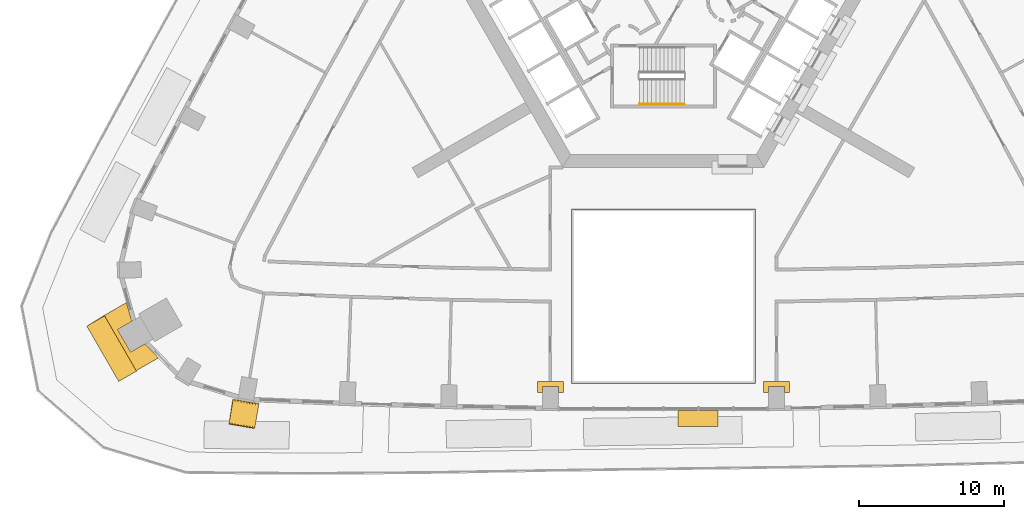
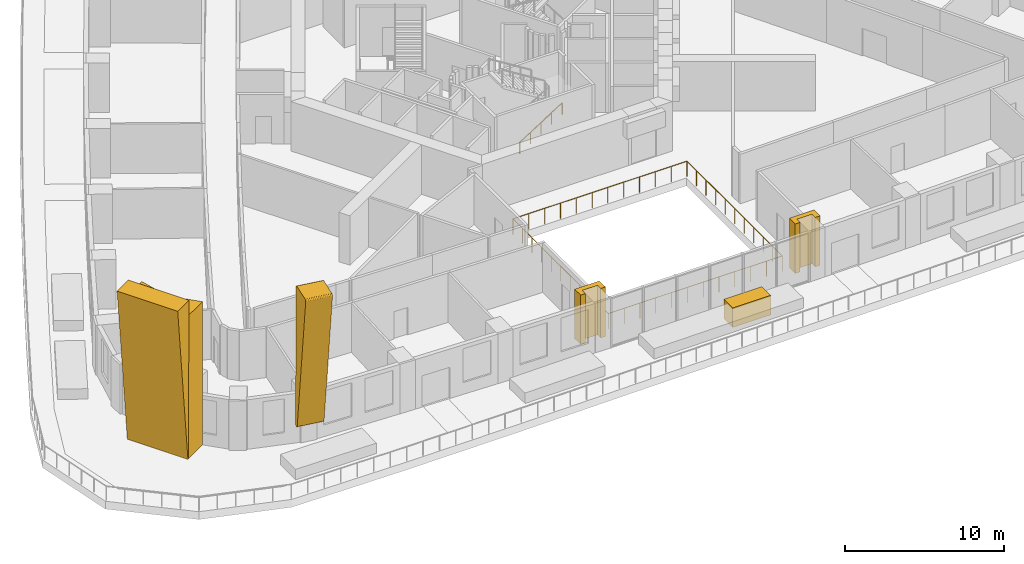
# One storey, part 13 of 16: 6 coverings, 2 railings.
"""IFC4 building model written with IfcOpenShell, lengths in metres."""

from ifc_helpers import new_model, si_unit, direction, frame, origin, origin_2d, place, context, subcontext, project, spatial, polyline, circle, outline, extrude, material, type_object, element, save


model = new_model("IFC4")

# Units and contexts
model_context = context("Model", 3, precision=1e-05, world=origin(), true_north=direction((0.0, 1.0)))
body_context = subcontext(model_context, "Body", "Model", "MODEL_VIEW")
ifc_project = project(units=[si_unit("LENGTHUNIT", "METRE"), si_unit("AREAUNIT", "SQUARE_METRE"), si_unit("VOLUMEUNIT", "CUBIC_METRE"), si_unit("PLANEANGLEUNIT", "RADIAN"), si_unit("MASSUNIT", "GRAM", prefix="KILO")], contexts=[model_context])

# Site, building, storey
site_placement = place(None, origin())
site = spatial("IfcSite", under=ifc_project, at=site_placement, CompositionType="ELEMENT")
building_placement = place(site_placement, origin())
building = spatial("IfcBuilding", under=site, at=building_placement, Name="Entoto Arch Interchange Tower", CompositionType="ELEMENT")
storey_placement = place(building_placement, frame((0.0, 0.0, 86.60009765625)))
storey = spatial("IfcBuildingStorey", under=building, at=storey_placement, Name="L18", CompositionType="ELEMENT", Elevation=86.60009765625)

# Railing
ifc_material_1 = material(Name="Stainless steel 1.4301", Category="steel")
railing_type_1 = type_object("IfcRailingType", Name="ATRIUM GUARD 1200 STEEL AND GLASS", PredefinedType="GUARDRAIL", material=ifc_material_1)
railing_1_placement = place(storey_placement, frame((6.320068359375, -24.37109375, 0.0)))
element("IfcRailing", 1, at=railing_1_placement, inside=storey, type_object=railing_type_1, Name="Atrium guard L18", PredefinedType="GUARDRAIL", context=body_context, shape_type="SweptSolid", body=[
    extrude(circle(Radius=0.02392578125, at=origin_2d()), frame((0.0, 0.0, 1.17578125), z_axis=(-1.0, 0.0, 0.0), x_axis=(0.0, -1.0, 0.0)), (0.0, 0.0, 1.0), 12.64013671875),
    extrude(circle(Radius=0.02392578125, at=origin_2d()), frame((-12.64013671875, 0.0, 1.17578125), z_axis=(0.0, 1.0, 0.0), x_axis=(-1.0, 0.0, 0.0)), (0.0, 0.0, 1.0), 11.9912109375),
    extrude(circle(Radius=0.02392578125, at=origin_2d()), frame((-12.64013671875, 11.9912109375, 1.17578125), z_axis=(1.0, 0.0, 0.0), x_axis=(0.0, 1.0, 0.0)), (0.0, 0.0, 1.0), 12.64013671875),
    extrude(circle(Radius=0.02392578125, at=origin_2d()), frame((0.0, 11.9912109375, 1.17578125), z_axis=(0.0, -1.0, 0.0), x_axis=(1.0, 0.0, 0.0)), (0.0, 0.0, 1.0), 11.9912109375),
    extrude(circle(Radius=0.02099609375, at=origin_2d()), origin(), (0.0, 0.0, 1.0), 1.15185546875),
    extrude(circle(Radius=0.02099609375, at=origin_2d()), frame((-1.149169921875, 0.0, 0.0)), (0.0, 0.0, 1.0), 1.15185546875),
    extrude(circle(Radius=0.02099609375, at=origin_2d()), frame((-2.298095703125, 0.0, 0.0)), (0.0, 0.0, 1.0), 1.15185546875),
    extrude(circle(Radius=0.02099609375, at=origin_2d()), frame((-3.447265625, 0.0, 0.0)), (0.0, 0.0, 1.0), 1.15185546875),
    extrude(circle(Radius=0.02099609375, at=origin_2d()), frame((-4.596435546875, 0.0, 0.0)), (0.0, 0.0, 1.0), 1.15185546875),
    extrude(circle(Radius=0.02099609375, at=origin_2d()), frame((-5.74560546875, 0.0, 0.0)), (0.0, 0.0, 1.0), 1.15185546875),
    extrude(circle(Radius=0.02099609375, at=origin_2d()), frame((-6.89453125, 0.0, 0.0)), (0.0, 0.0, 1.0), 1.15185546875),
    extrude(circle(Radius=0.02099609375, at=origin_2d()), frame((-8.043701171875, 0.0, 0.0)), (0.0, 0.0, 1.0), 1.15185546875),
    extrude(circle(Radius=0.02099609375, at=origin_2d()), frame((-9.19287109375, 0.0, 0.0)), (0.0, 0.0, 1.0), 1.15185546875),
    extrude(circle(Radius=0.02099609375, at=origin_2d()), frame((-10.342041015625, 0.0, 0.0)), (0.0, 0.0, 1.0), 1.15185546875),
    extrude(circle(Radius=0.02099609375, at=origin_2d()), frame((-11.490966796875, 0.0, 0.0)), (0.0, 0.0, 1.0), 1.15185546875),
    extrude(circle(Radius=0.02099609375, at=origin_2d()), frame((-12.64013671875, 0.0, 0.0)), (0.0, 0.0, 1.0), 1.15185546875),
    extrude(circle(Radius=0.02099609375, at=origin_2d()), frame((-12.64013671875, 1.19921875, 0.0)), (0.0, 0.0, 1.0), 1.15185546875),
    extrude(circle(Radius=0.02099609375, at=origin_2d()), frame((-12.64013671875, 2.398193359375, 0.0)), (0.0, 0.0, 1.0), 1.15185546875),
    extrude(circle(Radius=0.02099609375, at=origin_2d()), frame((-12.64013671875, 3.597412109375, 0.0)), (0.0, 0.0, 1.0), 1.15185546875),
    extrude(circle(Radius=0.02099609375, at=origin_2d()), frame((-12.64013671875, 4.79638671875, 0.0)), (0.0, 0.0, 1.0), 1.15185546875),
    extrude(circle(Radius=0.02099609375, at=origin_2d()), frame((-12.64013671875, 5.99560546875, 0.0)), (0.0, 0.0, 1.0), 1.15185546875),
    extrude(circle(Radius=0.02099609375, at=origin_2d()), frame((-12.64013671875, 7.19482421875, 0.0)), (0.0, 0.0, 1.0), 1.15185546875),
    extrude(circle(Radius=0.02099609375, at=origin_2d()), frame((-12.64013671875, 8.393798828125, 0.0)), (0.0, 0.0, 1.0), 1.15185546875),
    extrude(circle(Radius=0.02099609375, at=origin_2d()), frame((-12.64013671875, 9.593017578125, 0.0)), (0.0, 0.0, 1.0), 1.15185546875),
    extrude(circle(Radius=0.02099609375, at=origin_2d()), frame((-12.64013671875, 10.7919921875, 0.0)), (0.0, 0.0, 1.0), 1.15185546875),
    extrude(circle(Radius=0.02099609375, at=origin_2d()), frame((-12.64013671875, 11.9912109375, 0.0)), (0.0, 0.0, 1.0), 1.15185546875),
    extrude(circle(Radius=0.02099609375, at=origin_2d()), frame((-11.490966796875, 11.9912109375, 0.0)), (0.0, 0.0, 1.0), 1.15185546875),
    extrude(circle(Radius=0.02099609375, at=origin_2d()), frame((-10.342041015625, 11.9912109375, 0.0)), (0.0, 0.0, 1.0), 1.15185546875),
    extrude(circle(Radius=0.02099609375, at=origin_2d()), frame((-9.19287109375, 11.9912109375, 0.0)), (0.0, 0.0, 1.0), 1.15185546875),
    extrude(circle(Radius=0.02099609375, at=origin_2d()), frame((-8.043701171875, 11.9912109375, 0.0)), (0.0, 0.0, 1.0), 1.15185546875),
    extrude(circle(Radius=0.02099609375, at=origin_2d()), frame((-6.89453125, 11.9912109375, 0.0)), (0.0, 0.0, 1.0), 1.15185546875),
    extrude(circle(Radius=0.02099609375, at=origin_2d()), frame((-5.74560546875, 11.9912109375, 0.0)), (0.0, 0.0, 1.0), 1.15185546875),
    extrude(circle(Radius=0.02099609375, at=origin_2d()), frame((-4.596435546875, 11.9912109375, 0.0)), (0.0, 0.0, 1.0), 1.15185546875),
    extrude(circle(Radius=0.02099609375, at=origin_2d()), frame((-3.447265625, 11.9912109375, 0.0)), (0.0, 0.0, 1.0), 1.15185546875),
    extrude(circle(Radius=0.02099609375, at=origin_2d()), frame((-2.298095703125, 11.9912109375, 0.0)), (0.0, 0.0, 1.0), 1.15185546875),
    extrude(circle(Radius=0.02099609375, at=origin_2d()), frame((-1.149169921875, 11.9912109375, 0.0)), (0.0, 0.0, 1.0), 1.15185546875),
    extrude(circle(Radius=0.02099609375, at=origin_2d()), frame((0.0, 11.9912109375, 0.0)), (0.0, 0.0, 1.0), 1.15185546875),
    extrude(circle(Radius=0.02099609375, at=origin_2d()), frame((0.0, 10.7919921875, 0.0)), (0.0, 0.0, 1.0), 1.15185546875),
    extrude(circle(Radius=0.02099609375, at=origin_2d()), frame((0.0, 9.593017578125, 0.0)), (0.0, 0.0, 1.0), 1.15185546875),
    extrude(circle(Radius=0.02099609375, at=origin_2d()), frame((0.0, 8.393798828125, 0.0)), (0.0, 0.0, 1.0), 1.15185546875),
    extrude(circle(Radius=0.02099609375, at=origin_2d()), frame((0.0, 7.19482421875, 0.0)), (0.0, 0.0, 1.0), 1.15185546875),
    extrude(circle(Radius=0.02099609375, at=origin_2d()), frame((0.0, 5.99560546875, 0.0)), (0.0, 0.0, 1.0), 1.15185546875),
    extrude(circle(Radius=0.02099609375, at=origin_2d()), frame((0.0, 4.79638671875, 0.0)), (0.0, 0.0, 1.0), 1.15185546875),
    extrude(circle(Radius=0.02099609375, at=origin_2d()), frame((0.0, 3.597412109375, 0.0)), (0.0, 0.0, 1.0), 1.15185546875),
    extrude(circle(Radius=0.02099609375, at=origin_2d()), frame((0.0, 2.398193359375, 0.0)), (0.0, 0.0, 1.0), 1.15185546875),
    extrude(circle(Radius=0.02099609375, at=origin_2d()), frame((0.0, 1.19921875, 0.0)), (0.0, 0.0, 1.0), 1.15185546875),
])

# Coverings
ifc_material_2 = material(Name="Board-marked precast concrete C50/60", Category="concrete")
covering_type = type_object("IfcCoveringType", Name="PRECAST FRAME COURSE", PredefinedType="CLADDING", material=ifc_material_2)
covering_1_placement = place(storey_placement, origin())
element("IfcCovering", 2, at=covering_1_placement, inside=storey, type_object=covering_type, Name="Corner pilaster SW L18-L20", PredefinedType="CLADDING", context=body_context, shape_type="SweptSolid", body=[
    extrude(outline(polyline([(-36.31591796875, -23.508056640625), (-38.51611328125, -19.697998046875), (-36.990966796875, -18.81689453125), (-36.6279296875, -20.10888671875), (-37.60595703125, -20.674072265625), (-36.7060546875, -22.23193359375), (-35.72802734375, -21.6669921875), (-34.7900390625, -22.626953125), (-36.31591796875, -23.508056640625)])), origin(), (0.0, 0.0, 1.0), 11.0),
])
covering_2_placement = place(storey_placement, frame((-38.51611328125, -19.697998046875, 0.0), z_axis=(-0.499986789964, 0.866027927189, 0.00297307775), x_axis=(-0.86603178023, -0.499988955211, -1.72565e-05)))
element("IfcCovering", 3, at=covering_2_placement, inside=storey, type_object=covering_type, Name="Corner rib SW L18-L20", PredefinedType="CLADDING", context=body_context, shape_type="SweptSolid", body=[
    extrude(outline(polyline([(0.0, 0.0), (0.06658887716506719, 0.0), (1.4130701292969596, 12.200029477652604), (-0.0003540231900035621, 12.200003937694891), (0.0, 0.0)])), origin(), (0.0, 0.0, -1.0), 4.39990234375),
])
covering_3_placement = place(storey_placement, frame((-29.720947265625, -25.77001953125, 1.56396484375), z_axis=(-0.985752648573, 0.16817473333, 0.002995813912), x_axis=(0.044829560517, 0.279850792372, -0.95899626929)))
element("IfcCovering", 4, at=covering_3_placement, inside=storey, type_object=covering_type, Name="Fold rib S01 L18-L20", PredefinedType="CLADDING", context=body_context, shape_type="SweptSolid", body=[
    extrude(outline(polyline([(0.0, 0.0), (0.042769213513458464, 0.0), (0.07187140669113648, -0.006297452078142196), (0.09739878581657839, -0.018590682171483252), (0.1211670122478083, -0.03613498706663863), (0.14099786443871598, -0.056727973107380834), (0.15653322192623023, -0.08172430277159944), (0.16664810180034184, -0.1081999827575422), (0.17196468225990064, -0.13739123263643696), (0.1711046156583122, -0.16635737529026645), (0.16491420940860274, -0.19451172983680717), (0.1529762541539918, -0.2213103609905271), (0.13709179349129907, -0.24508877340318347), (0.11598269288951357, -0.2649699205366094), (0.09168420030993316, -0.2818211755979742), (0.0643693200104793, -0.2919008950151116), (-9.98614262344274, -3.261445636542697), (-10.015493592800148, -3.264635377408945), (-10.044409977507863, -3.2615453943556454), (-10.08554203799065, -3.246414793903475), (-10.120471934880118, -3.219529818601067), (-10.139634942039402, -3.1969031080739763), (-10.152638648960478, -3.1709873690489467), (-10.570337396355638, -1.7575529917902644), (-10.572844417432512, -1.7275314600973917), (-10.569174791448237, -1.6977350356295842), (-10.559940695867285, -1.6686812091179004), (-10.545539338577672, -1.6433334658813814), (-10.525362215159213, -1.6202941024786095), (-10.501599361441562, -1.6016363354132224), (-10.475159080094999, -1.588589581730805), (-10.445151284838811, -1.5807254782471316), (0.0, 0.0)])), origin(), (0.0, 0.0, -1.0), 1.800048828125),
])
covering_4_placement = place(storey_placement, origin())
element("IfcCovering", 5, at=covering_4_placement, inside=storey, type_object=covering_type, Name="Gate pier L18", PredefinedType="CLADDING", context=body_context, shape_type="SweptSolid", body=[
    extrude(outline(polyline([(-8.69189453125, -24.2509765625), (-6.89208984375, -24.2509765625), (-6.89208984375, -24.9990234375), (-7.241943359375, -24.9990234375), (-7.241943359375, -24.60107421875), (-8.342041015625, -24.60107421875), (-8.342041015625, -24.9990234375), (-8.69189453125, -24.9990234375), (-8.69189453125, -24.2509765625)])), origin(), (0.0, 0.0, 1.0), 3.7998046875),
])
covering_5_placement = place(storey_placement, origin())
element("IfcCovering", 6, at=covering_5_placement, inside=storey, type_object=covering_type, Name="Gate pier L18", PredefinedType="CLADDING", context=body_context, shape_type="SweptSolid", body=[
    extrude(outline(polyline([(6.89208984375, -24.2509765625), (8.69189453125, -24.2509765625), (8.69189453125, -24.9990234375), (8.342041015625, -24.9990234375), (8.342041015625, -24.60107421875), (7.241943359375, -24.60107421875), (7.241943359375, -24.9990234375), (6.89208984375, -24.9990234375), (6.89208984375, -24.2509765625)])), origin(), (0.0, 0.0, 1.0), 3.7998046875),
])
covering_6_placement = place(storey_placement, frame((0.0, 0.0, -0.650146484375)))
element("IfcCovering", 7, at=covering_6_placement, inside=storey, type_object=covering_type, Name="Fold crease ribbon L18", PredefinedType="CLADDING", context=body_context, shape_type="SweptSolid", body=[
    extrude(outline(polyline([(0.989013671875, -27.35400390625), (0.989013671875, -26.2509765625), (3.760009765625, -26.2509765625), (3.760009765625, -27.35498046875), (0.989013671875, -27.35400390625)])), origin(), (0.0, 0.0, 1.0), 1.5),
])

# Railing
railing_type_2 = type_object("IfcRailingType", Name="STAIR HANDRAIL 900 STEEL", PredefinedType="HANDRAIL", material=ifc_material_1)
railing_2_placement = place(storey_placement, frame((-1.64990234375, -5.14990234375, 0.1748046875)))
element("IfcRailing", 8, at=railing_2_placement, inside=storey, type_object=railing_type_2, Name="L18 ST-S stair handrail 1", PredefinedType="HANDRAIL", context=body_context, shape_type="SweptSolid", body=[
    extrude(circle(Radius=0.02392578125, at=origin_2d()), frame((0.0, 0.0, 0.8759765625), z_axis=(0.847979421464, 0.0, 0.530029150871), x_axis=(0.0, 1.0, 0.0)), (0.0, 0.0, 1.0), 3.632080078125),
    extrude(circle(Radius=0.02099609375, at=origin_2d()), origin(), (0.0, 0.0, 1.0), 0.851806640625),
    extrude(circle(Radius=0.02099609375, at=origin_2d()), frame((0.77001953125, 0.0, 0.481201171875)), (0.0, 0.0, 1.0), 0.851806640625),
    extrude(circle(Radius=0.02099609375, at=origin_2d()), frame((1.5400390625, 0.0, 0.96240234375)), (0.0, 0.0, 1.0), 0.851806640625),
    extrude(circle(Radius=0.02099609375, at=origin_2d()), frame((2.309814453125, 0.0, 1.44384765625)), (0.0, 0.0, 1.0), 0.851806640625),
    extrude(circle(Radius=0.02099609375, at=origin_2d()), frame((3.079833984375, 0.0, 1.925048828125)), (0.0, 0.0, 1.0), 0.851806640625),
])

save(model, "model.ifc")
